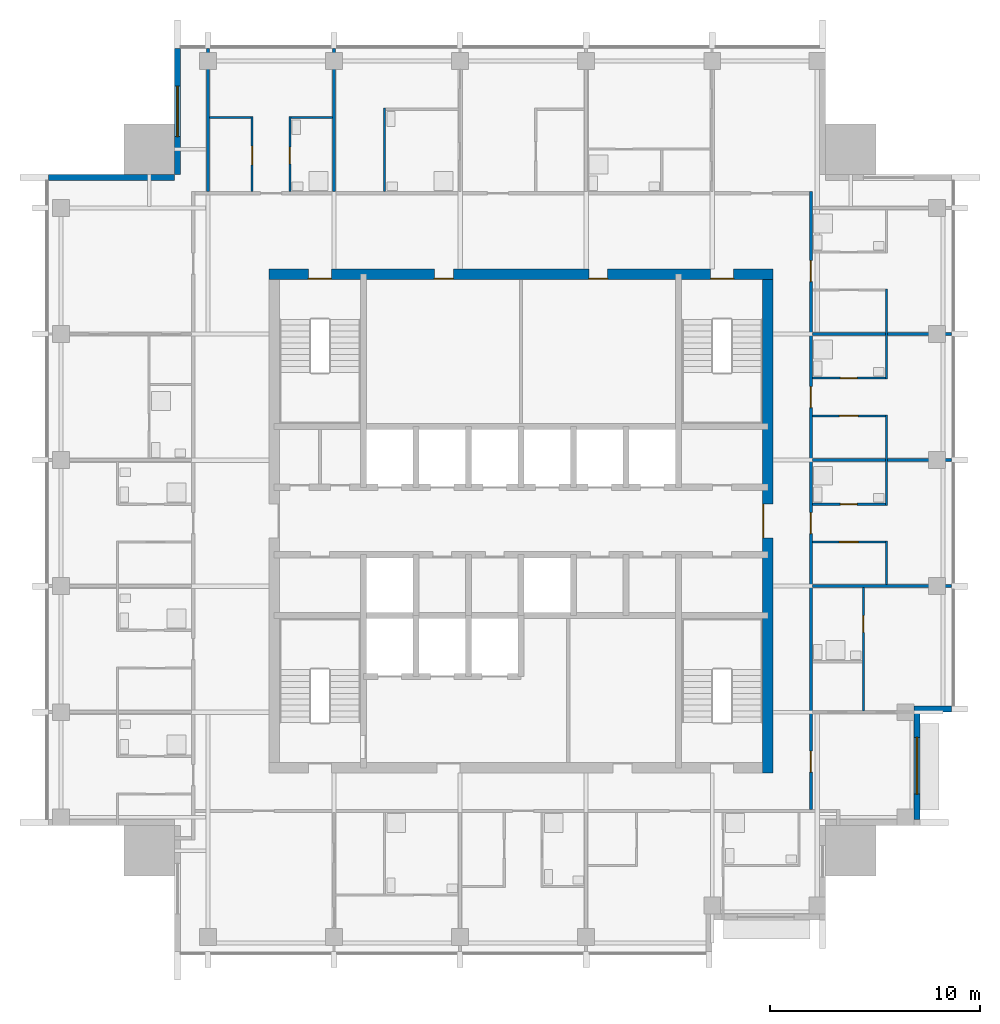
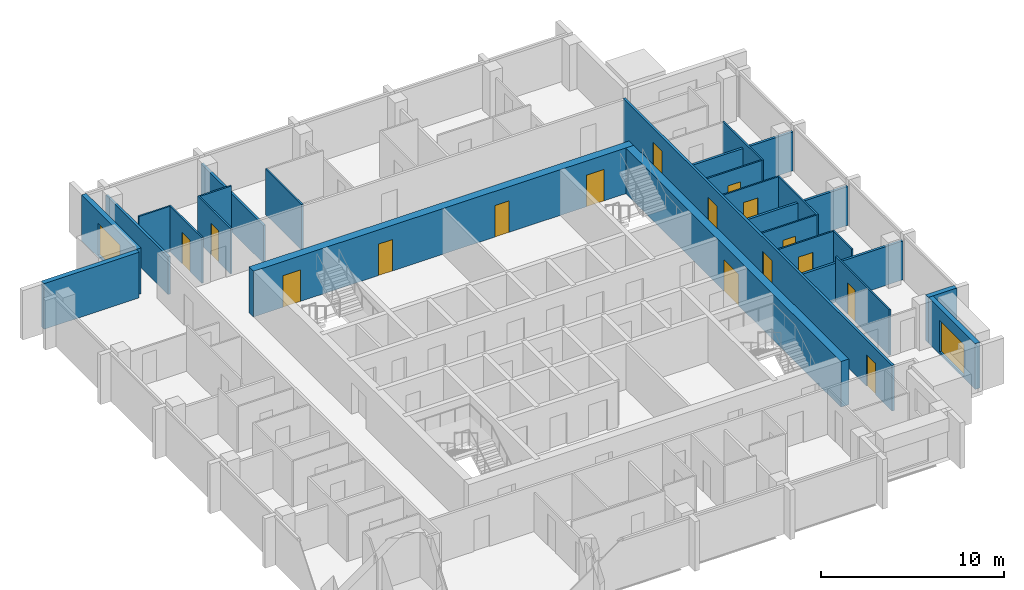
# One storey, part 6 of 9: 25 walls, 16 doors, 2 windows, 18 openings.
"""IFC4 building model written with IfcOpenShell, lengths in metres."""

import ifcopenshell
import ifcopenshell.guid

model = None  # the IFC model being written
_history = None  # IfcOwnerHistory: only IFC2X3 demands one
_inside = {}  # id of a spatial element -> (the spatial element, [elements in it])
_under = {}  # id of a project, library or spatial element -> (it, [spatial elements below it])
_declared = {}  # id of a project -> (the project, [libraries it declares])
_typed = {}  # id of a type object -> (the type object, [elements of that type])
_made_of = {}  # id of a material, layer set ... -> (it, [elements and type objects made of it])


def new_model(schema):
    """Start an empty IFC model of exactly this schema.

    Asked for "IFC4X3", IfcOpenShell would pick the latest addendum, in which some entities
    have other attributes; the version numbers below select the first issue.
    IFC2X3 requires an IfcOwnerHistory on every rooted entity: one is made here for all.
    """
    global model, _history
    if schema == "IFC4X3":
        model = ifcopenshell.file(schema_version=(4, 3, 0, 0))
    else:
        model = ifcopenshell.file(schema=schema)
    _inside.clear()
    _under.clear()
    _declared.clear()
    _typed.clear()
    _made_of.clear()
    _history = None
    if model.schema == "IFC2X3":
        org = make("IfcOrganization", Name="unknown")
        user = make(
            "IfcPersonAndOrganization",
            ThePerson=make("IfcPerson", FamilyName="unknown"),
            TheOrganization=org,
        )
        app = make(
            "IfcApplication",
            ApplicationDeveloper=org,
            Version="unknown",
            ApplicationFullName="unknown",
            ApplicationIdentifier="unknown",
        )
        _history = make(
            "IfcOwnerHistory",
            OwningUser=user,
            OwningApplication=app,
            ChangeAction="ADDED",
            CreationDate=0,
        )
    return model


def make(cls, **values):
    """One entity of the class cls with the attributes given. An attribute that is None is left unset."""
    return model.create_entity(
        cls, **{name: value for name, value in values.items() if value is not None}
    )


def rooted(cls, **values):
    """An entity with a GlobalId (a new one), such as an element, a storey or a relation."""
    return make(cls, GlobalId=ifcopenshell.guid.new(), OwnerHistory=_history, **values)


def si_unit(unit_type, name, prefix=None):
    """IfcSIUnit, for example si_unit("LENGTHUNIT", "METRE", prefix="MILLI")."""
    return make("IfcSIUnit", UnitType=unit_type, Prefix=prefix, Name=name)


def assignment(units):
    """IfcUnitAssignment: the units of a project."""
    return None if units is None else make("IfcUnitAssignment", Units=units)


def point(xyz):
    """IfcCartesianPoint."""
    return None if xyz is None else make("IfcCartesianPoint", Coordinates=xyz)


def direction(xyz):
    """IfcDirection."""
    return None if xyz is None else make("IfcDirection", DirectionRatios=xyz)


def frame(location, z_axis=None, x_axis=None):
    """IfcAxis2Placement3D, a coordinate frame: its origin and axes. An axis left out is left unset."""
    return make(
        "IfcAxis2Placement3D",
        Location=point(location),
        Axis=direction(z_axis),
        RefDirection=direction(x_axis),
    )


def frame_2d(location, x_axis=None):
    """IfcAxis2Placement2D, a coordinate frame in the plane: its origin and x axis."""
    return make(
        "IfcAxis2Placement2D", Location=point(location), RefDirection=direction(x_axis)
    )


def origin():
    """The frame at (0, 0, 0) with its axes left unset."""
    return frame((0.0, 0.0, 0.0))


def place(relative_to, where):
    """IfcLocalPlacement: puts the frame where relative to a parent placement (None: the world)."""
    return make(
        "IfcLocalPlacement", PlacementRelTo=relative_to, RelativePlacement=where
    )


def context(
    kind, dimensions, precision=None, world=None, true_north=None, identifier=None
):
    """IfcGeometricRepresentationContext, for example the 3D "Model" context."""
    return make(
        "IfcGeometricRepresentationContext",
        ContextIdentifier=identifier,
        ContextType=kind,
        CoordinateSpaceDimension=dimensions,
        Precision=precision,
        WorldCoordinateSystem=world,
        TrueNorth=true_north,
    )


def subcontext(parent, identifier, kind, view, scale=None):
    """IfcGeometricRepresentationSubContext, for example "Body" below "Model"."""
    return make(
        "IfcGeometricRepresentationSubContext",
        ContextIdentifier=identifier,
        ContextType=kind,
        ParentContext=parent,
        TargetScale=scale,
        TargetView=view,
    )


def project(units=None, contexts=None):
    """IfcProject with its units and contexts."""
    return rooted(
        "IfcProject",
        Name="project",
        RepresentationContexts=contexts,
        UnitsInContext=assignment(units),
    )


def spatial(cls, under=None, at=None, **own):
    """A site, building, storey or space (cls), placed at a placement, below another one or the project."""
    s = rooted(cls, ObjectPlacement=at, **own)
    if under is not None:
        _under.setdefault(under.id(), (under, []))[1].append(s)
    return s


def profile(cls, at=None, kind="AREA", **sizes):
    """A parametric profile (cls). Its sizes go by their IFC names, for example OverallWidth=200.0."""
    return make(cls, ProfileType=kind, Position=at, **sizes)


def rectangle(**sizes):
    """IfcRectangleProfileDef."""
    return profile("IfcRectangleProfileDef", **sizes)


def extrude(swept, where, along, depth):
    """IfcExtrudedAreaSolid: the profile swept, set in the frame where, extruded along a direction by depth."""
    return make(
        "IfcExtrudedAreaSolid",
        SweptArea=swept,
        Position=where,
        ExtrudedDirection=direction(along),
        Depth=depth,
    )


def shape(context_of_items, identifier, shape_type, items):
    """IfcShapeRepresentation: the items that make up one representation, for example the "Body"."""
    return make(
        "IfcShapeRepresentation",
        ContextOfItems=context_of_items,
        RepresentationIdentifier=identifier,
        RepresentationType=shape_type,
        Items=items,
    )


def material(Name=None, Category=None):
    """IfcMaterial."""
    return make("IfcMaterial", Name=Name, Category=Category)


def layer(
    of_material, thickness, ventilated=None, Name=None, Category=None, Priority=None
):
    """IfcMaterialLayer: one layer of a wall or slab, of a material (None: an air gap)."""
    return make(
        "IfcMaterialLayer",
        Material=of_material,
        LayerThickness=thickness,
        IsVentilated=ventilated,
        Name=Name,
        Category=Category,
        Priority=Priority,
    )


def layer_set(layers, Name=None):
    """IfcMaterialLayerSet."""
    return make("IfcMaterialLayerSet", MaterialLayers=layers, LayerSetName=Name)


def made_of(thing, what):
    """Note that an element or type object is made of a material, layer set ...; save() writes the relation."""
    if what is not None:
        _made_of.setdefault(what.id(), (what, []))[1].append(thing)
    return thing


def type_object(cls, material=None, **own):
    """A type object (cls), such as IfcWallType, which elements share."""
    return made_of(rooted(cls, **own), material)


def element(
    cls,
    number,
    at=None,
    inside=None,
    cuts=None,
    type_object=None,
    material=None,
    context=None,
    identifier="Body",
    shape_type=None,
    held_by="IfcProductDefinitionShape",
    body=None,
    shapes=None,
    **own,
):
    """One element of the class cls, such as IfcWall. Its Tag is "e" and its number.

    at: its placement. inside: the storey or other place that contains it. cuts: it is an
    opening in that element (IfcRelVoidsElement). A single representation is given by context,
    identifier, shape_type and body (its items); several are given by shapes. held_by: the class
    of the entity that holds the representations. save() writes the other relations.
    """
    e = rooted(cls, Tag="e%d" % number, ObjectPlacement=at, **own)
    if body is not None:
        shapes = [shape(context, identifier, shape_type, body)]
    if shapes is not None:
        e.Representation = make(held_by, Representations=shapes)
    if inside is not None:
        _inside.setdefault(inside.id(), (inside, []))[1].append(e)
    if cuts is not None:
        rooted(
            "IfcRelVoidsElement", RelatingBuildingElement=cuts, RelatedOpeningElement=e
        )
    if type_object is not None:
        _typed.setdefault(type_object.id(), (type_object, []))[1].append(e)
    return made_of(e, material)


def fill(opening, filler):
    """IfcRelFillsElement: the door or window that sits in an opening."""
    return rooted(
        "IfcRelFillsElement",
        RelatingOpeningElement=opening,
        RelatedBuildingElement=filler,
    )


def aggregate(whole, parts):
    """IfcRelAggregates: a whole, such as a stair, and the parts it consists of."""
    return rooted("IfcRelAggregates", RelatingObject=whole, RelatedObjects=parts)


def save(model, path):
    """Write the relations noted so far, then the file.

    IfcRelAggregates (storeys below a building ...), IfcRelContainedInSpatialStructure (elements
    in a storey), IfcRelDefinesByType, IfcRelAssociatesMaterial and IfcRelDeclares: one each for
    every whole, place, type object, material and project.
    """
    for whole, parts in _under.values():
        aggregate(whole, parts)
    for where, things in _inside.values():
        rooted(
            "IfcRelContainedInSpatialStructure",
            RelatedElements=things,
            RelatingStructure=where,
        )
    for kind, things in _typed.values():
        rooted("IfcRelDefinesByType", RelatedObjects=things, RelatingType=kind)
    for what, things in _made_of.values():
        rooted("IfcRelAssociatesMaterial", RelatedObjects=things, RelatingMaterial=what)
    for by, libraries in _declared.values():
        rooted("IfcRelDeclares", RelatingContext=by, RelatedDefinitions=libraries)
    model.write(path)


model = new_model("IFC4")

# Units and contexts
model_context = context("Model", 3, precision=1e-05, world=origin(), true_north=direction((0.0, 1.0)))
body_context = subcontext(model_context, "Body", "Model", "MODEL_VIEW")
ifc_project = project(units=[si_unit("LENGTHUNIT", "METRE"), si_unit("AREAUNIT", "SQUARE_METRE"), si_unit("VOLUMEUNIT", "CUBIC_METRE"), si_unit("PLANEANGLEUNIT", "RADIAN"), si_unit("MASSUNIT", "GRAM", prefix="KILO")], contexts=[model_context])

# Site, building, storey
site_placement = place(None, origin())
site = spatial("IfcSite", under=ifc_project, at=site_placement, CompositionType="ELEMENT")
building_placement = place(site_placement, origin())
building = spatial("IfcBuilding", under=site, at=building_placement, Name="Amberfall Residences", CompositionType="ELEMENT")
storey_placement = place(building_placement, frame((0.0, 0.0, 245.5)))
storey = spatial("IfcBuildingStorey", under=building, at=storey_placement, Name="L65", CompositionType="ELEMENT", Elevation=245.5)

# Wall
ifc_material_1 = material(Name="Pale stone cladding on insulated backing", Category="masonry")
ifc_layer_1 = layer(ifc_material_1, 0.300048828125)
ifc_layer_set_1 = layer_set([ifc_layer_1], Name="Bronze clad wall 300")
wall_type_1 = type_object("IfcWallType", Name="Bronze clad wall 300", PredefinedType="SOLIDWALL", material=ifc_layer_set_1)
wall_1_placement = place(storey_placement, frame((93.199951171875, 36.550048828125, 0.0), z_axis=(0.0, 0.0, 1.0), x_axis=(1.0, 0.0, 0.0)))
element("IfcWall", 1, at=wall_1_placement, inside=storey, type_object=wall_type_1, Name="External wall L65 E", PredefinedType="SOLIDWALL", context=body_context, shape_type="SweptSolid", body=[
    extrude(rectangle(XDim=1.800048828125, YDim=0.300048828125, at=frame_2d((0.89990234375, 0.0))), origin(), (0.0, 0.0, 1.0), 3.050048828125),
])

# Wall, opening, window
wall_2_placement = place(storey_placement, frame((58.14990234375, 68.0, 0.0), z_axis=(0.0, 0.0, 1.0), x_axis=(0.0, -1.0, 0.0)))
wall_2 = element("IfcWall", 2, at=wall_2_placement, inside=storey, type_object=wall_type_1, Name="External wall L65 NW", PredefinedType="SOLIDWALL", context=body_context, shape_type="SweptSolid", body=[
    extrude(rectangle(XDim=6.0, YDim=0.300048828125, at=frame_2d((3.0, 0.0))), origin(), (0.0, 0.0, 1.0), 3.050048828125),
])
opening_1_placement = place(wall_2_placement, frame((1.800048828125, 0.0, 0.14990234375)))
opening_1 = element("IfcOpeningElement", 3, at=opening_1_placement, cuts=wall_2, Name="Opening WN5", PredefinedType="OPENING", context=body_context, shape_type="SweptSolid", body=[
    extrude(rectangle(XDim=2.39990234375, YDim=2.10009765625, at=frame_2d((1.199951171875, 1.050048828125))), frame((0.0, 0.159912109375, 0.0), z_axis=(0.0, -1.0, 0.0), x_axis=(1.0, 0.0, 0.0)), (0.0, 0.0, 1.0), 0.320068359375),
])
ifc_material_2 = material(Name="Bronze aluminium framed glazing", Category="aluminium")
window_type_1 = type_object("IfcWindowType", Name="Glazed opening 2400 x 2100 bronze", PartitioningType="DOUBLE_PANEL_VERTICAL", PredefinedType="WINDOW", material=ifc_material_2)
window_1_placement = place(opening_1_placement, origin())
window_1 = element("IfcWindow", 4, at=window_1_placement, inside=storey, type_object=window_type_1, Name="Window L65 NW", OverallHeight=2.10009765625, OverallWidth=2.39990234375, PartitioningType="DOUBLE_PANEL_VERTICAL", PredefinedType="WINDOW", context=body_context, shape_type="SweptSolid", body=[
    extrude(rectangle(XDim=2.39990234375, YDim=2.10009765625, at=frame_2d((1.199951171875, 1.050048828125))), frame((0.0, 0.030029296875, 0.0), z_axis=(0.0, -1.0, 0.0), x_axis=(1.0, 0.0, 0.0)), (0.0, 0.0, 1.0), 0.06005859375),
])
fill(opening_1, window_1)

# Wall
wall_3_placement = place(storey_placement, frame((58.0, 61.85009765625, 0.0), z_axis=(0.0, 0.0, 1.0), x_axis=(-1.0, 0.0, 0.0)))
element("IfcWall", 5, at=wall_3_placement, inside=storey, type_object=wall_type_1, Name="External wall L65 NW", PredefinedType="SOLIDWALL", context=body_context, shape_type="SweptSolid", body=[
    extrude(rectangle(XDim=6.0, YDim=0.300048828125, at=frame_2d((3.0, 0.0))), origin(), (0.0, 0.0, 1.0), 3.050048828125),
])

# Wall, opening, window
wall_4_placement = place(storey_placement, frame((93.35009765625, 31.300048828125, 0.0), z_axis=(0.0, 0.0, 1.0), x_axis=(0.0, 1.0, 0.0)))
wall_4 = element("IfcWall", 6, at=wall_4_placement, inside=storey, type_object=wall_type_1, Name="Stone wall L65 E", PredefinedType="SOLIDWALL", context=body_context, shape_type="SweptSolid", body=[
    extrude(rectangle(XDim=5.099853515625, YDim=0.300048828125, at=frame_2d((2.5498046875, 0.0))), origin(), (0.0, 0.0, 1.0), 3.050048828125),
])
opening_2_placement = place(wall_4_placement, frame((1.199951171875, 0.0, 0.14990234375)))
opening_2 = element("IfcOpeningElement", 7, at=opening_2_placement, cuts=wall_4, Name="Opening WN4", PredefinedType="OPENING", context=body_context, shape_type="SweptSolid", body=[
    extrude(rectangle(XDim=2.699951171875, YDim=2.10009765625, at=frame_2d((1.35009765625, 1.050048828125))), frame((0.0, 0.159912109375, 0.0), z_axis=(0.0, -1.0, 0.0), x_axis=(1.0, 0.0, 0.0)), (0.0, 0.0, 1.0), 0.320068359375),
])
window_type_2 = type_object("IfcWindowType", Name="Glazed opening 2700 x 2100 bronze", PartitioningType="DOUBLE_PANEL_VERTICAL", PredefinedType="WINDOW", material=ifc_material_2)
window_2_placement = place(opening_2_placement, origin())
window_2 = element("IfcWindow", 8, at=window_2_placement, inside=storey, type_object=window_type_2, Name="Window L65 E", OverallHeight=2.10009765625, OverallWidth=2.699951171875, PartitioningType="DOUBLE_PANEL_VERTICAL", PredefinedType="WINDOW", context=body_context, shape_type="SweptSolid", body=[
    extrude(rectangle(XDim=2.699951171875, YDim=2.10009765625, at=frame_2d((1.35009765625, 1.050048828125))), frame((0.0, 0.030029296875, 0.0), z_axis=(0.0, -1.0, 0.0), x_axis=(1.0, 0.0, 0.0)), (0.0, 0.0, 1.0), 0.06005859375),
])
fill(opening_2, window_2)

# Wall, openings, doors
ifc_material_3 = material(Name="Concrete C50", Category="concrete")
ifc_layer_2 = layer(ifc_material_3, 0.5)
ifc_layer_set_2 = layer_set([ifc_layer_2], Name="Core wall 500 C50")
wall_type_2 = type_object("IfcWallType", Name="Core wall 500 C50", PredefinedType="SHEAR", material=ifc_layer_set_2)
wall_5_placement = place(storey_placement, frame((62.5, 57.25, 0.0), z_axis=(0.0, 0.0, 1.0), x_axis=(1.0, 0.0, 0.0)))
wall_5 = element("IfcWall", 9, at=wall_5_placement, inside=storey, type_object=wall_type_2, Name="Core wall RW9 L65 ON", PredefinedType="SHEAR", context=body_context, shape_type="SweptSolid", body=[
    extrude(rectangle(XDim=24.0, YDim=0.5, at=frame_2d((12.0, 0.0))), origin(), (0.0, 0.0, 1.0), 3.050048828125),
])
opening_3_placement = place(wall_5_placement, frame((21.02490234375, 0.0, 0.0)))
opening_3 = element("IfcOpeningElement", 10, at=opening_3_placement, cuts=wall_5, Name="Opening SD1", PredefinedType="OPENING", context=body_context, shape_type="SweptSolid", body=[
    extrude(rectangle(XDim=1.10009765625, YDim=2.10009765625, at=frame_2d((0.550048828125, 1.050048828125))), frame((0.0, 0.260009765625, 0.0), z_axis=(0.0, -1.0, 0.0), x_axis=(1.0, 0.0, 0.0)), (0.0, 0.0, 1.0), 0.52001953125),
])
opening_4_placement = place(wall_5_placement, frame((1.875, 0.0, 0.0)))
opening_4 = element("IfcOpeningElement", 11, at=opening_4_placement, cuts=wall_5, Name="Opening SD1", PredefinedType="OPENING", context=body_context, shape_type="SweptSolid", body=[
    extrude(rectangle(XDim=1.10009765625, YDim=2.10009765625, at=frame_2d((0.550048828125, 1.050048828125))), frame((0.0, 0.260009765625, 0.0), z_axis=(0.0, -1.0, 0.0), x_axis=(1.0, 0.0, 0.0)), (0.0, 0.0, 1.0), 0.52001953125),
])
opening_5_placement = place(wall_5_placement, frame((7.875, 0.0, 0.0)))
opening_5 = element("IfcOpeningElement", 12, at=opening_5_placement, cuts=wall_5, Name="Opening RD1", PredefinedType="OPENING", context=body_context, shape_type="SweptSolid", body=[
    extrude(rectangle(XDim=0.89990234375, YDim=2.10009765625, at=frame_2d((0.449951171875, 1.050048828125))), frame((0.0, 0.260009765625, 0.0), z_axis=(0.0, -1.0, 0.0), x_axis=(1.0, 0.0, 0.0)), (0.0, 0.0, 1.0), 0.52001953125),
])
opening_6_placement = place(wall_5_placement, frame((15.22509765625, 0.0, 0.0)))
opening_6 = element("IfcOpeningElement", 13, at=opening_6_placement, cuts=wall_5, Name="Opening RD1", PredefinedType="OPENING", context=body_context, shape_type="SweptSolid", body=[
    extrude(rectangle(XDim=0.89990234375, YDim=2.10009765625, at=frame_2d((0.449951171875, 1.050048828125))), frame((0.0, 0.260009765625, 0.0), z_axis=(0.0, -1.0, 0.0), x_axis=(1.0, 0.0, 0.0)), (0.0, 0.0, 1.0), 0.52001953125),
])
ifc_material_4 = material(Name="Steel fire door set", Category="steel")
door_type_1 = type_object("IfcDoorType", Name="Service room door 900 x 2100", OperationType="SINGLE_SWING_LEFT", PredefinedType="DOOR", material=ifc_material_4)
door_1_placement = place(opening_5_placement, origin())
door_1 = element("IfcDoor", 14, at=door_1_placement, inside=storey, type_object=door_type_1, Name="RD1 L65", OperationType="SINGLE_SWING_RIGHT", OverallHeight=2.10009765625, OverallWidth=0.89990234375, PredefinedType="DOOR", context=body_context, shape_type="SweptSolid", body=[
    extrude(rectangle(XDim=0.89990234375, YDim=2.10009765625, at=frame_2d((0.449951171875, 1.050048828125))), frame((0.0, -0.1875, 0.0), z_axis=(0.0, -1.0, 0.0), x_axis=(1.0, 0.0, 0.0)), (0.0, 0.0, 1.0), 0.050048828125),
])
fill(opening_5, door_1)
door_2_placement = place(opening_6_placement, origin())
door_2 = element("IfcDoor", 15, at=door_2_placement, inside=storey, type_object=door_type_1, Name="RD1 L65", OperationType="SINGLE_SWING_RIGHT", OverallHeight=2.10009765625, OverallWidth=0.89990234375, PredefinedType="DOOR", context=body_context, shape_type="SweptSolid", body=[
    extrude(rectangle(XDim=0.89990234375, YDim=2.10009765625, at=frame_2d((0.449951171875, 1.050048828125))), frame((0.0, -0.1875, 0.0), z_axis=(0.0, -1.0, 0.0), x_axis=(1.0, 0.0, 0.0)), (0.0, 0.0, 1.0), 0.050048828125),
])
fill(opening_6, door_2)
door_type_2 = type_object("IfcDoorType", Name="Stair door 1100 x 2100", OperationType="SINGLE_SWING_LEFT", PredefinedType="DOOR", material=ifc_material_4)
door_3_placement = place(opening_3_placement, origin())
door_3 = element("IfcDoor", 16, at=door_3_placement, inside=storey, type_object=door_type_2, Name="SD1 L65", OperationType="SINGLE_SWING_RIGHT", OverallHeight=2.10009765625, OverallWidth=1.10009765625, PredefinedType="DOOR", context=body_context, shape_type="SweptSolid", body=[
    extrude(rectangle(XDim=1.10009765625, YDim=2.10009765625, at=frame_2d((0.550048828125, 1.050048828125))), frame((0.0, -0.1875, 0.0), z_axis=(0.0, -1.0, 0.0), x_axis=(1.0, 0.0, 0.0)), (0.0, 0.0, 1.0), 0.050048828125),
])
fill(opening_3, door_3)
door_4_placement = place(opening_4_placement, origin())
door_4 = element("IfcDoor", 17, at=door_4_placement, inside=storey, type_object=door_type_2, Name="SD1 L65", OperationType="SINGLE_SWING_LEFT", OverallHeight=2.10009765625, OverallWidth=1.10009765625, PredefinedType="DOOR", context=body_context, shape_type="SweptSolid", body=[
    extrude(rectangle(XDim=1.10009765625, YDim=2.10009765625, at=frame_2d((0.550048828125, 1.050048828125))), frame((0.0, -0.1875, 0.0), z_axis=(0.0, -1.0, 0.0), x_axis=(1.0, 0.0, 0.0)), (0.0, 0.0, 1.0), 0.050048828125),
])
fill(opening_4, door_4)

# Wall, opening, door
wall_6_placement = place(storey_placement, frame((86.25, 33.5, 0.0), z_axis=(0.0, 0.0, 1.0), x_axis=(0.0, 1.0, 0.0)))
wall_6 = element("IfcWall", 18, at=wall_6_placement, inside=storey, type_object=wall_type_2, Name="Core wall RW9 L65 OE", PredefinedType="SHEAR", context=body_context, shape_type="SweptSolid", body=[
    extrude(rectangle(XDim=24.0, YDim=0.5, at=frame_2d((12.0, 0.0))), origin(), (0.0, 0.0, 1.0), 3.050048828125),
])
opening_7_placement = place(wall_6_placement, frame((11.199951171875, 0.0, 0.0)))
opening_7 = element("IfcOpeningElement", 19, at=opening_7_placement, cuts=wall_6, Name="Opening LB1", PredefinedType="OPENING", context=body_context, shape_type="SweptSolid", body=[
    extrude(rectangle(XDim=1.60009765625, YDim=2.10009765625, at=frame_2d((0.800048828125, 1.050048828125))), frame((0.0, 0.260009765625, 0.0), z_axis=(0.0, -1.0, 0.0), x_axis=(1.0, 0.0, 0.0)), (0.0, 0.0, 1.0), 0.52001953125),
])
door_type_3 = type_object("IfcDoorType", Name="Lift lobby double door 1600 x 2100", OperationType="DOUBLE_DOOR_SINGLE_SWING", PredefinedType="DOOR", material=ifc_material_4)
door_5_placement = place(opening_7_placement, origin())
door_5 = element("IfcDoor", 20, at=door_5_placement, inside=storey, type_object=door_type_3, Name="LB1 L65", OperationType="DOUBLE_DOOR_SINGLE_SWING", OverallHeight=2.10009765625, OverallWidth=1.60009765625, PredefinedType="DOOR", context=body_context, shape_type="SweptSolid", body=[
    extrude(rectangle(XDim=1.60009765625, YDim=2.10009765625, at=frame_2d((0.800048828125, 1.050048828125))), frame((0.0, 0.2373046875, 0.0), z_axis=(0.0, -1.0, 0.0), x_axis=(1.0, 0.0, 0.0)), (0.0, 0.0, 1.0), 0.050048828125),
])
fill(opening_7, door_5)

ifc_material_5 = material(Name="Gypsum board on metal stud")
ifc_layer_3 = layer(ifc_material_5, 0.10009765625)
ifc_layer_set_3 = layer_set([ifc_layer_3], Name="Flat partition 100")
wall_type_3 = type_object("IfcWallType", Name="Flat partition 100", PredefinedType="PARTITIONING", material=ifc_layer_set_3)
wall_7_placement = place(storey_placement, frame((61.699951171875, 61.175048828125, 0.0), z_axis=(0.0, 0.0, 1.0), x_axis=(0.0, 1.0, 0.0)))
wall_7 = element("IfcWall", 21, at=wall_7_placement, inside=storey, type_object=wall_type_3, Name="Partition 006", PredefinedType="PARTITIONING", context=body_context, shape_type="SweptSolid", body=[
    extrude(rectangle(XDim=3.574951171875, YDim=0.10009765625, at=frame_2d((1.78759765625, 0.0))), origin(), (0.0, 0.0, 1.0), 3.050048828125),
])
opening_8_placement = place(wall_7_placement, frame((1.27490234375, 0.0, 0.0)))
opening_8 = element("IfcOpeningElement", 22, at=opening_8_placement, cuts=wall_7, Name="Opening D41", PredefinedType="OPENING", context=body_context, shape_type="SweptSolid", body=[
    extrude(rectangle(XDim=0.89990234375, YDim=2.10009765625, at=frame_2d((0.449951171875, 1.050048828125))), frame((0.0, 0.06005859375, 0.0), z_axis=(0.0, -1.0, 0.0), x_axis=(1.0, 0.0, 0.0)), (0.0, 0.0, 1.0), 0.1201171875),
])
ifc_material_6 = material(Name="Timber", Category="wood")
door_type_4 = type_object("IfcDoorType", Name="Internal door 900 x 2100", OperationType="SINGLE_SWING_LEFT", PredefinedType="DOOR", material=ifc_material_6)
door_6_placement = place(opening_8_placement, origin())
door_6 = element("IfcDoor", 23, at=door_6_placement, inside=storey, type_object=door_type_4, Name="Door 6508 kitchen", OperationType="SINGLE_SWING_LEFT", OverallHeight=2.10009765625, OverallWidth=0.89990234375, PredefinedType="DOOR", context=body_context, shape_type="SweptSolid", body=[
    extrude(rectangle(XDim=0.89990234375, YDim=2.10009765625, at=frame_2d((0.449951171875, 1.050048828125))), frame((0.0, 0.02490234375, 0.0), z_axis=(0.0, -1.0, 0.0), x_axis=(1.0, 0.0, 0.0)), (0.0, 0.0, 1.0), 0.050048828125),
])
fill(opening_8, door_6)

wall_8_placement = place(storey_placement, frame((63.5, 64.75, 0.0), z_axis=(0.0, 0.0, 1.0), x_axis=(0.0, -1.0, 0.0)))
wall_8 = element("IfcWall", 24, at=wall_8_placement, inside=storey, type_object=wall_type_3, Name="Partition 007", PredefinedType="PARTITIONING", context=body_context, shape_type="SweptSolid", body=[
    extrude(rectangle(XDim=3.574951171875, YDim=0.10009765625, at=frame_2d((1.78759765625, 0.0))), origin(), (0.0, 0.0, 1.0), 3.050048828125),
])
opening_9_placement = place(wall_8_placement, frame((1.449951171875, 0.0, 0.0)))
opening_9 = element("IfcOpeningElement", 25, at=opening_9_placement, cuts=wall_8, Name="Opening D42", PredefinedType="OPENING", context=body_context, shape_type="SweptSolid", body=[
    extrude(rectangle(XDim=0.800048828125, YDim=2.10009765625, at=frame_2d((0.39990234375, 1.050048828125))), frame((0.0, 0.06005859375, 0.0), z_axis=(0.0, -1.0, 0.0), x_axis=(1.0, 0.0, 0.0)), (0.0, 0.0, 1.0), 0.1201171875),
])
door_type_5 = type_object("IfcDoorType", Name="Bathroom door 800 x 2100", OperationType="SINGLE_SWING_LEFT", PredefinedType="DOOR", material=ifc_material_6)
door_7_placement = place(opening_9_placement, origin())
door_7 = element("IfcDoor", 26, at=door_7_placement, inside=storey, type_object=door_type_5, Name="Door 6508 bath1", OperationType="SINGLE_SWING_LEFT", OverallHeight=2.10009765625, OverallWidth=0.800048828125, PredefinedType="DOOR", context=body_context, shape_type="SweptSolid", body=[
    extrude(rectangle(XDim=0.800048828125, YDim=2.10009765625, at=frame_2d((0.39990234375, 1.050048828125))), frame((0.0, 0.02490234375, 0.0), z_axis=(0.0, -1.0, 0.0), x_axis=(1.0, 0.0, 0.0)), (0.0, 0.0, 1.0), 0.050048828125),
])
fill(opening_9, door_7)

# Wall
wall_9_placement = place(storey_placement, frame((68.0, 61.175048828125, 0.0), z_axis=(0.0, 0.0, 1.0), x_axis=(0.0, 1.0, 0.0)))
element("IfcWall", 27, at=wall_9_placement, inside=storey, type_object=wall_type_3, Name="Partition 010", PredefinedType="PARTITIONING", context=body_context, shape_type="SweptSolid", body=[
    extrude(rectangle(XDim=3.974853515625, YDim=0.10009765625, at=frame_2d((1.9873046875, 0.0))), origin(), (0.0, 0.0, 1.0), 3.050048828125),
])

# Wall, opening, door
wall_10_placement = place(storey_placement, frame((90.800048828125, 36.449951171875, 0.0), z_axis=(0.0, 0.0, 1.0), x_axis=(0.0, 1.0, 0.0)))
wall_10 = element("IfcWall", 28, at=wall_10_placement, inside=storey, type_object=wall_type_3, Name="Partition 020", PredefinedType="PARTITIONING", context=body_context, shape_type="SweptSolid", body=[
    extrude(rectangle(XDim=5.875, YDim=0.10009765625, at=frame_2d((2.9375, 0.0))), origin(), (0.0, 0.0, 1.0), 3.050048828125),
])
opening_10_placement = place(wall_10_placement, frame((3.75, 0.0, 0.0)))
opening_10 = element("IfcOpeningElement", 29, at=opening_10_placement, cuts=wall_10, Name="Opening D42", PredefinedType="OPENING", context=body_context, shape_type="SweptSolid", body=[
    extrude(rectangle(XDim=0.800048828125, YDim=2.10009765625, at=frame_2d((0.39990234375, 1.050048828125))), frame((0.0, 0.06005859375, 0.0), z_axis=(0.0, -1.0, 0.0), x_axis=(1.0, 0.0, 0.0)), (0.0, 0.0, 1.0), 0.1201171875),
])
door_8_placement = place(opening_10_placement, origin())
door_8 = element("IfcDoor", 30, at=door_8_placement, inside=storey, type_object=door_type_5, Name="Door 6504 bath1", OperationType="SINGLE_SWING_LEFT", OverallHeight=2.10009765625, OverallWidth=0.800048828125, PredefinedType="DOOR", context=body_context, shape_type="SweptSolid", body=[
    extrude(rectangle(XDim=0.800048828125, YDim=2.10009765625, at=frame_2d((0.39990234375, 1.050048828125))), frame((0.0, 0.02490234375, 0.0), z_axis=(0.0, -1.0, 0.0), x_axis=(1.0, 0.0, 0.0)), (0.0, 0.0, 1.0), 0.050048828125),
])
fill(opening_10, door_8)

# Walls
wall_11_placement = place(storey_placement, frame((91.89990234375, 42.47509765625, 0.0), z_axis=(0.0, 0.0, 1.0), x_axis=(0.0, 1.0, 0.0)))
element("IfcWall", 31, at=wall_11_placement, inside=storey, type_object=wall_type_3, Name="Partition 021", PredefinedType="PARTITIONING", context=body_context, shape_type="SweptSolid", body=[
    extrude(rectangle(XDim=2.074951171875, YDim=0.10009765625, at=frame_2d((1.03759765625, 0.0))), origin(), (0.0, 0.0, 1.0), 3.050048828125),
])
for number, where, z_axis, x_axis, name in (
    (32, (91.89990234375, 46.25, 0.0), (0.0, 0.0, 1.0), (0.0, 1.0, 0.0), "Partition 022"),
    (33, (91.89990234375, 52.25, 0.0), (0.0, 0.0, 1.0), (0.0, 1.0, 0.0), "Partition 023"),
):
    element("IfcWall", number, at=place(storey_placement, frame(where, z_axis=z_axis, x_axis=x_axis)), inside=storey, type_object=wall_type_3, Name=name, PredefinedType="PARTITIONING", context=body_context, shape_type="SweptSolid", body=[
        extrude(rectangle(XDim=4.300048828125, YDim=0.10009765625, at=frame_2d((2.14990234375, 0.0))), origin(), (0.0, 0.0, 1.0), 3.050048828125),
    ])
for number, where, z_axis, x_axis, name in (
    (34, (59.675048828125, 64.699951171875, 0.0), (0.0, 0.0, 1.0), (1.0, 0.0, 0.0), "Partition 027"),
    (35, (63.550048828125, 64.699951171875, 0.0), (0.0, 0.0, 1.0), (1.0, 0.0, 0.0), "Partition 028"),
):
    element("IfcWall", number, at=place(storey_placement, frame(where, z_axis=z_axis, x_axis=x_axis)), inside=storey, type_object=wall_type_3, Name=name, PredefinedType="PARTITIONING", context=body_context, shape_type="SweptSolid", body=[
        extrude(rectangle(XDim=1.974853515625, YDim=0.10009765625, at=frame_2d((0.9873046875, 0.0))), origin(), (0.0, 0.0, 1.0), 3.050048828125),
    ])

# Wall, opening, door
wall_12_placement = place(storey_placement, frame((88.375, 52.300048828125, 0.0), z_axis=(0.0, 0.0, 1.0), x_axis=(1.0, 0.0, 0.0)))
wall_12 = element("IfcWall", 36, at=wall_12_placement, inside=storey, type_object=wall_type_3, Name="Partition 033", PredefinedType="PARTITIONING", context=body_context, shape_type="SweptSolid", body=[
    extrude(rectangle(XDim=3.47509765625, YDim=0.10009765625, at=frame_2d((1.737548828125, 0.0))), origin(), (0.0, 0.0, 1.0), 3.050048828125),
])
opening_11_placement = place(wall_12_placement, frame((1.324951171875, 0.0, 0.0)))
opening_11 = element("IfcOpeningElement", 37, at=opening_11_placement, cuts=wall_12, Name="Opening D42", PredefinedType="OPENING", context=body_context, shape_type="SweptSolid", body=[
    extrude(rectangle(XDim=0.800048828125, YDim=2.10009765625, at=frame_2d((0.39990234375, 1.050048828125))), frame((0.0, 0.06005859375, 0.0), z_axis=(0.0, -1.0, 0.0), x_axis=(1.0, 0.0, 0.0)), (0.0, 0.0, 1.0), 0.1201171875),
])
door_9_placement = place(opening_11_placement, origin())
door_9 = element("IfcDoor", 38, at=door_9_placement, inside=storey, type_object=door_type_5, Name="Door 6506 bath1", OperationType="SINGLE_SWING_LEFT", OverallHeight=2.10009765625, OverallWidth=0.800048828125, PredefinedType="DOOR", context=body_context, shape_type="SweptSolid", body=[
    extrude(rectangle(XDim=0.800048828125, YDim=2.10009765625, at=frame_2d((0.39990234375, 1.050048828125))), frame((0.0, 0.02490234375, 0.0), z_axis=(0.0, -1.0, 0.0), x_axis=(1.0, 0.0, 0.0)), (0.0, 0.0, 1.0), 0.050048828125),
])
fill(opening_11, door_9)

wall_13_placement = place(storey_placement, frame((91.85009765625, 50.5, 0.0), z_axis=(0.0, 0.0, 1.0), x_axis=(-1.0, 0.0, 0.0)))
wall_13 = element("IfcWall", 39, at=wall_13_placement, inside=storey, type_object=wall_type_3, Name="Partition 035", PredefinedType="PARTITIONING", context=body_context, shape_type="SweptSolid", body=[
    extrude(rectangle(XDim=3.47509765625, YDim=0.10009765625, at=frame_2d((1.737548828125, 0.0))), origin(), (0.0, 0.0, 1.0), 3.050048828125),
])
opening_12_placement = place(wall_13_placement, frame((1.300048828125, 0.0, 0.0)))
opening_12 = element("IfcOpeningElement", 40, at=opening_12_placement, cuts=wall_13, Name="Opening D41", PredefinedType="OPENING", context=body_context, shape_type="SweptSolid", body=[
    extrude(rectangle(XDim=0.89990234375, YDim=2.10009765625, at=frame_2d((0.449951171875, 1.050048828125))), frame((0.0, 0.06005859375, 0.0), z_axis=(0.0, -1.0, 0.0), x_axis=(1.0, 0.0, 0.0)), (0.0, 0.0, 1.0), 0.1201171875),
])
door_10_placement = place(opening_12_placement, origin())
door_10 = element("IfcDoor", 41, at=door_10_placement, inside=storey, type_object=door_type_4, Name="Door 6506 kitchen", OperationType="SINGLE_SWING_LEFT", OverallHeight=2.10009765625, OverallWidth=0.89990234375, PredefinedType="DOOR", context=body_context, shape_type="SweptSolid", body=[
    extrude(rectangle(XDim=0.89990234375, YDim=2.10009765625, at=frame_2d((0.449951171875, 1.050048828125))), frame((0.0, 0.02490234375, 0.0), z_axis=(0.0, -1.0, 0.0), x_axis=(1.0, 0.0, 0.0)), (0.0, 0.0, 1.0), 0.050048828125),
])
fill(opening_12, door_10)

wall_14_placement = place(storey_placement, frame((88.375, 46.300048828125, 0.0), z_axis=(0.0, 0.0, 1.0), x_axis=(1.0, 0.0, 0.0)))
wall_14 = element("IfcWall", 42, at=wall_14_placement, inside=storey, type_object=wall_type_3, Name="Partition 037", PredefinedType="PARTITIONING", context=body_context, shape_type="SweptSolid", body=[
    extrude(rectangle(XDim=3.47509765625, YDim=0.10009765625, at=frame_2d((1.737548828125, 0.0))), origin(), (0.0, 0.0, 1.0), 3.050048828125),
])
opening_13_placement = place(wall_14_placement, frame((1.324951171875, 0.0, 0.0)))
opening_13 = element("IfcOpeningElement", 43, at=opening_13_placement, cuts=wall_14, Name="Opening D42", PredefinedType="OPENING", context=body_context, shape_type="SweptSolid", body=[
    extrude(rectangle(XDim=0.800048828125, YDim=2.10009765625, at=frame_2d((0.39990234375, 1.050048828125))), frame((0.0, 0.06005859375, 0.0), z_axis=(0.0, -1.0, 0.0), x_axis=(1.0, 0.0, 0.0)), (0.0, 0.0, 1.0), 0.1201171875),
])
door_11_placement = place(opening_13_placement, origin())
door_11 = element("IfcDoor", 44, at=door_11_placement, inside=storey, type_object=door_type_5, Name="Door 6505 bath1", OperationType="SINGLE_SWING_LEFT", OverallHeight=2.10009765625, OverallWidth=0.800048828125, PredefinedType="DOOR", context=body_context, shape_type="SweptSolid", body=[
    extrude(rectangle(XDim=0.800048828125, YDim=2.10009765625, at=frame_2d((0.39990234375, 1.050048828125))), frame((0.0, 0.02490234375, 0.0), z_axis=(0.0, -1.0, 0.0), x_axis=(1.0, 0.0, 0.0)), (0.0, 0.0, 1.0), 0.050048828125),
])
fill(opening_13, door_11)

wall_15_placement = place(storey_placement, frame((91.85009765625, 44.5, 0.0), z_axis=(0.0, 0.0, 1.0), x_axis=(-1.0, 0.0, 0.0)))
wall_15 = element("IfcWall", 45, at=wall_15_placement, inside=storey, type_object=wall_type_3, Name="Partition 039", PredefinedType="PARTITIONING", context=body_context, shape_type="SweptSolid", body=[
    extrude(rectangle(XDim=3.47509765625, YDim=0.10009765625, at=frame_2d((1.737548828125, 0.0))), origin(), (0.0, 0.0, 1.0), 3.050048828125),
])
opening_14_placement = place(wall_15_placement, frame((1.300048828125, 0.0, 0.0)))
opening_14 = element("IfcOpeningElement", 46, at=opening_14_placement, cuts=wall_15, Name="Opening D41", PredefinedType="OPENING", context=body_context, shape_type="SweptSolid", body=[
    extrude(rectangle(XDim=0.89990234375, YDim=2.10009765625, at=frame_2d((0.449951171875, 1.050048828125))), frame((0.0, 0.06005859375, 0.0), z_axis=(0.0, -1.0, 0.0), x_axis=(1.0, 0.0, 0.0)), (0.0, 0.0, 1.0), 0.1201171875),
])
door_12_placement = place(opening_14_placement, origin())
door_12 = element("IfcDoor", 47, at=door_12_placement, inside=storey, type_object=door_type_4, Name="Door 6505 kitchen", OperationType="SINGLE_SWING_LEFT", OverallHeight=2.10009765625, OverallWidth=0.89990234375, PredefinedType="DOOR", context=body_context, shape_type="SweptSolid", body=[
    extrude(rectangle(XDim=0.89990234375, YDim=2.10009765625, at=frame_2d((0.449951171875, 1.050048828125))), frame((0.0, 0.02490234375, 0.0), z_axis=(0.0, -1.0, 0.0), x_axis=(1.0, 0.0, 0.0)), (0.0, 0.0, 1.0), 0.050048828125),
])
fill(opening_14, door_12)

# Walls
ifc_material_7 = material(Name="Blockwork, plastered", Category="masonry")
ifc_layer_4 = layer(ifc_material_7, 0.14990234375)
ifc_layer_set_4 = layer_set([ifc_layer_4], Name="Flat separating wall 150")
wall_type_4 = type_object("IfcWallType", Name="Flat separating wall 150", PredefinedType="PARTITIONING", material=ifc_layer_set_4)
wall_16_placement = place(storey_placement, frame((59.60009765625, 61.175048828125, 0.0), z_axis=(0.0, 0.0, 1.0), x_axis=(0.0, 1.0, 0.0)))
element("IfcWall", 48, at=wall_16_placement, inside=storey, type_object=wall_type_4, Name="Separating wall 052", PredefinedType="PARTITIONING", context=body_context, shape_type="SweptSolid", body=[
    extrude(rectangle(XDim=6.824951171875, YDim=0.14990234375, at=frame_2d((3.41259765625, 0.0))), origin(), (0.0, 0.0, 1.0), 2.510009765625),
])
wall_17_placement = place(storey_placement, frame((65.60009765625, 61.175048828125, 0.0), z_axis=(0.0, 0.0, 1.0), x_axis=(0.0, 1.0, 0.0)))
element("IfcWall", 49, at=wall_17_placement, inside=storey, type_object=wall_type_4, Name="Separating wall 053", PredefinedType="PARTITIONING", context=body_context, shape_type="SweptSolid", body=[
    extrude(rectangle(XDim=6.824951171875, YDim=0.14990234375, at=frame_2d((3.41259765625, 0.0))), origin(), (0.0, 0.0, 1.0), 2.51611328125),
])

# Wall, openings, doors
wall_18_placement = place(storey_placement, frame((88.300048828125, 61.175048828125, 0.0), z_axis=(0.0, 0.0, 1.0), x_axis=(0.0, -1.0, 0.0)))
wall_18 = element("IfcWall", 50, at=wall_18_placement, inside=storey, type_object=wall_type_4, Name="Separating wall 057", PredefinedType="PARTITIONING", context=body_context, shape_type="SweptSolid", body=[
    extrude(rectangle(XDim=29.400146484375, YDim=0.14990234375, at=frame_2d((14.7001953125, 0.0))), origin(), (0.0, 0.0, 1.0), 3.050048828125),
])
opening_15_placement = place(wall_18_placement, frame((26.625, 0.0, 0.0)))
opening_15 = element("IfcOpeningElement", 51, at=opening_15_placement, cuts=wall_18, Name="Opening D40", PredefinedType="OPENING", context=body_context, shape_type="SweptSolid", body=[
    extrude(rectangle(XDim=1.0, YDim=2.10009765625, at=frame_2d((0.5, 1.050048828125))), frame((0.0, 0.0849609375, 0.0), z_axis=(0.0, -1.0, 0.0), x_axis=(1.0, 0.0, 0.0)), (0.0, 0.0, 1.0), 0.169921875),
])
opening_16_placement = place(wall_18_placement, frame((15.27490234375, 0.0, 0.0)))
opening_16 = element("IfcOpeningElement", 52, at=opening_16_placement, cuts=wall_18, Name="Opening D40", PredefinedType="OPENING", context=body_context, shape_type="SweptSolid", body=[
    extrude(rectangle(XDim=1.0, YDim=2.10009765625, at=frame_2d((0.5, 1.050048828125))), frame((0.0, 0.0849609375, 0.0), z_axis=(0.0, -1.0, 0.0), x_axis=(1.0, 0.0, 0.0)), (0.0, 0.0, 1.0), 0.169921875),
])
opening_17_placement = place(wall_18_placement, frame((9.27490234375, 0.0, 0.0)))
opening_17 = element("IfcOpeningElement", 53, at=opening_17_placement, cuts=wall_18, Name="Opening D40", PredefinedType="OPENING", context=body_context, shape_type="SweptSolid", body=[
    extrude(rectangle(XDim=1.0, YDim=2.10009765625, at=frame_2d((0.5, 1.050048828125))), frame((0.0, 0.0849609375, 0.0), z_axis=(0.0, -1.0, 0.0), x_axis=(1.0, 0.0, 0.0)), (0.0, 0.0, 1.0), 0.169921875),
])
opening_18_placement = place(wall_18_placement, frame((3.27490234375, 0.0, 0.0)))
opening_18 = element("IfcOpeningElement", 54, at=opening_18_placement, cuts=wall_18, Name="Opening D40", PredefinedType="OPENING", context=body_context, shape_type="SweptSolid", body=[
    extrude(rectangle(XDim=1.0, YDim=2.10009765625, at=frame_2d((0.5, 1.050048828125))), frame((0.0, 0.0849609375, 0.0), z_axis=(0.0, -1.0, 0.0), x_axis=(1.0, 0.0, 0.0)), (0.0, 0.0, 1.0), 0.169921875),
])
ifc_material_8 = material(Name="Timber, fire-rated", Category="wood")
door_type_6 = type_object("IfcDoorType", Name="Flat entrance door FD60 1000 x 2100", OperationType="SINGLE_SWING_LEFT", PredefinedType="DOOR", material=ifc_material_8)
door_13_placement = place(opening_15_placement, origin())
door_13 = element("IfcDoor", 55, at=door_13_placement, inside=storey, type_object=door_type_6, Name="Door 6504 entrance", OperationType="SINGLE_SWING_LEFT", OverallHeight=2.10009765625, OverallWidth=1.0, PredefinedType="DOOR", context=body_context, shape_type="SweptSolid", body=[
    extrude(rectangle(XDim=1.0, YDim=2.10009765625, at=frame_2d((0.5, 1.050048828125))), frame((0.0, 0.02490234375, 0.0), z_axis=(0.0, -1.0, 0.0), x_axis=(1.0, 0.0, 0.0)), (0.0, 0.0, 1.0), 0.050048828125),
])
fill(opening_15, door_13)
door_14_placement = place(opening_16_placement, origin())
door_14 = element("IfcDoor", 56, at=door_14_placement, inside=storey, type_object=door_type_6, Name="Door 6505 entrance", OperationType="SINGLE_SWING_LEFT", OverallHeight=2.10009765625, OverallWidth=1.0, PredefinedType="DOOR", context=body_context, shape_type="SweptSolid", body=[
    extrude(rectangle(XDim=1.0, YDim=2.10009765625, at=frame_2d((0.5, 1.050048828125))), frame((0.0, 0.02490234375, 0.0), z_axis=(0.0, -1.0, 0.0), x_axis=(1.0, 0.0, 0.0)), (0.0, 0.0, 1.0), 0.050048828125),
])
fill(opening_16, door_14)
door_15_placement = place(opening_17_placement, origin())
door_15 = element("IfcDoor", 57, at=door_15_placement, inside=storey, type_object=door_type_6, Name="Door 6506 entrance", OperationType="SINGLE_SWING_LEFT", OverallHeight=2.10009765625, OverallWidth=1.0, PredefinedType="DOOR", context=body_context, shape_type="SweptSolid", body=[
    extrude(rectangle(XDim=1.0, YDim=2.10009765625, at=frame_2d((0.5, 1.050048828125))), frame((0.0, 0.02490234375, 0.0), z_axis=(0.0, -1.0, 0.0), x_axis=(1.0, 0.0, 0.0)), (0.0, 0.0, 1.0), 0.050048828125),
])
fill(opening_17, door_15)
door_16_placement = place(opening_18_placement, origin())
door_16 = element("IfcDoor", 58, at=door_16_placement, inside=storey, type_object=door_type_6, Name="Door 6507 entrance", OperationType="SINGLE_SWING_LEFT", OverallHeight=2.10009765625, OverallWidth=1.0, PredefinedType="DOOR", context=body_context, shape_type="SweptSolid", body=[
    extrude(rectangle(XDim=1.0, YDim=2.10009765625, at=frame_2d((0.5, 1.050048828125))), frame((0.0, 0.02490234375, 0.0), z_axis=(0.0, -1.0, 0.0), x_axis=(1.0, 0.0, 0.0)), (0.0, 0.0, 1.0), 0.050048828125),
])
fill(opening_18, door_16)

# Walls
for number, where, z_axis, x_axis, name in (
    (59, (88.375, 54.39990234375, 0.0), (0.0, 0.0, 1.0), (1.0, 0.0, 0.0), "Separating wall 061"),
    (60, (88.375, 48.39990234375, 0.0), (0.0, 0.0, 1.0), (1.0, 0.0, 0.0), "Separating wall 063"),
    (61, (88.375, 42.39990234375, 0.0), (0.0, 0.0, 1.0), (1.0, 0.0, 0.0), "Separating wall 065"),
):
    element("IfcWall", number, at=place(storey_placement, frame(where, z_axis=z_axis, x_axis=x_axis)), inside=storey, type_object=wall_type_4, Name=name, PredefinedType="PARTITIONING", context=body_context, shape_type="SweptSolid", body=[
        extrude(rectangle(XDim=6.625, YDim=0.14990234375, at=frame_2d((3.3125, 0.0))), origin(), (0.0, 0.0, 1.0), 2.590087890625),
    ])

save(model, "model.ifc")
